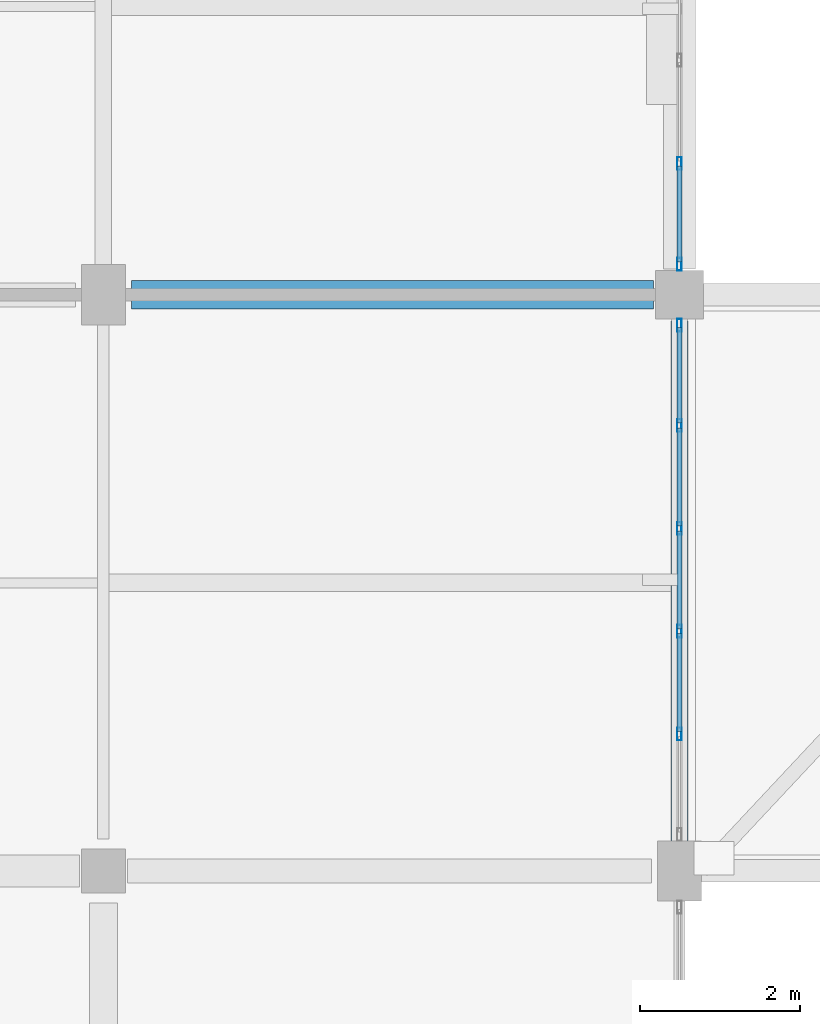
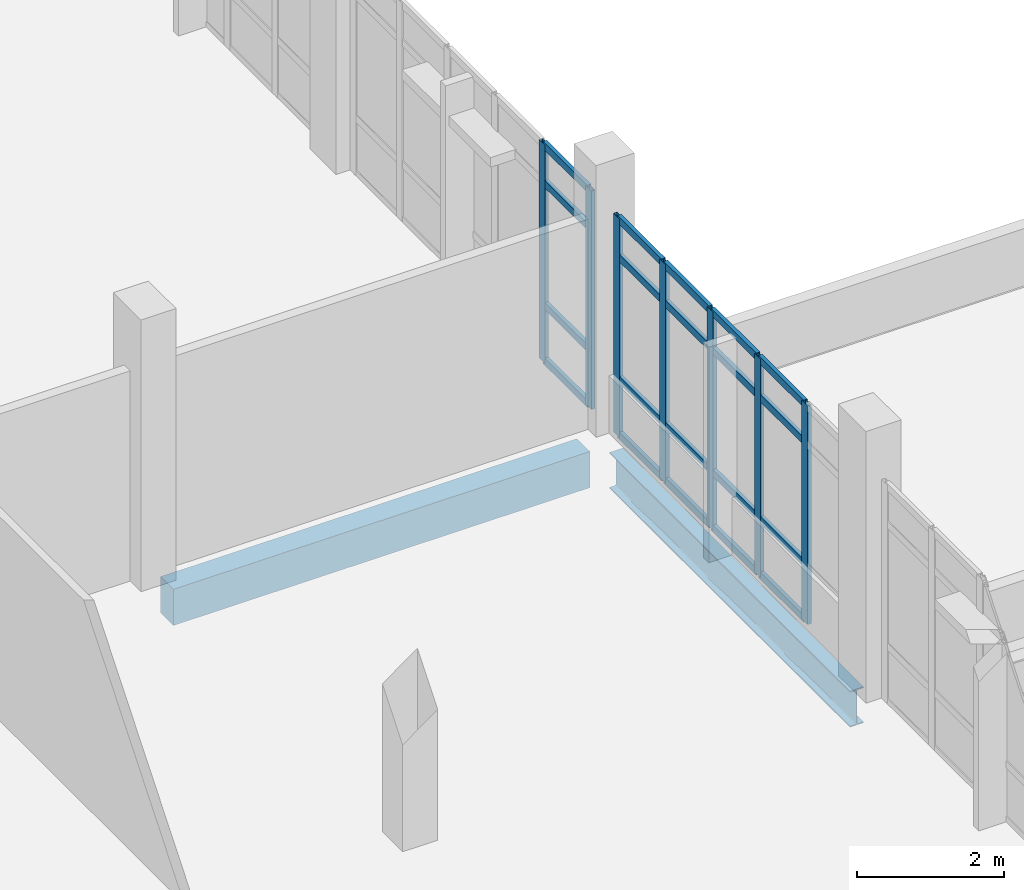
# One storey, part 12 of 87: 27 members, 2 beams, 2 elements without a shape of their own.
"""IFC4 building model written with IfcOpenShell, lengths in metres."""

from ifc_helpers import new_model, si_unit, direction, frame, origin, origin_2d, place, context, subcontext, project, spatial, rectangle, hollow_rectangle, i_section, extrude, material, material_profile, profile_set, type_object, element, aggregate, save


model = new_model("IFC4")

# Units and contexts
model_context = context("Model", 3, precision=1e-05, world=origin(), true_north=direction((0.0, 1.0)))
body_context = subcontext(model_context, "Body", "Model", "MODEL_VIEW")
ifc_project = project(units=[si_unit("LENGTHUNIT", "METRE"), si_unit("AREAUNIT", "SQUARE_METRE"), si_unit("VOLUMEUNIT", "CUBIC_METRE"), si_unit("PLANEANGLEUNIT", "RADIAN"), si_unit("MASSUNIT", "GRAM", prefix="KILO")], contexts=[model_context])

# Site, building, storey
site_placement = place(None, origin())
site = spatial("IfcSite", under=ifc_project, at=site_placement, CompositionType="ELEMENT")
building_placement = place(site_placement, origin())
building = spatial("IfcBuilding", under=site, at=building_placement, Name="Kalluvel Institute of Natural Sciences", CompositionType="ELEMENT")
storey_placement = place(building_placement, frame((0.0, 0.0, 18.89990234375)))
storey = spatial("IfcBuildingStorey", under=building, at=storey_placement, Name="L04", CompositionType="ELEMENT", Elevation=18.89990234375)

# Beam
ifc_material_1 = material(Name="Steel E350 Grade 350", Category="steel")
ifc_material_profile_1 = material_profile(ifc_material_1, i_section(OverallWidth=0.2099609375, OverallDepth=0.60009765625, WebThickness=0.011962890625, FlangeThickness=0.020751953125, FilletRadius=0.02001953125, at=origin_2d()), Name="ISMB 600")
ifc_profile_set_1 = profile_set([ifc_material_profile_1], Name="Steel E350 Grade 350")
beam_type_1 = type_object("IfcBeamType", Name="BM-ISMB600", PredefinedType="BEAM", material=ifc_profile_set_1)
beam_1_placement = place(storey_placement, frame((35.60009765625, 28.75, -0.599853515625), z_axis=(0.0, 1.0, 0.0), x_axis=(-1.0, 0.0, 0.0)))
element("IfcBeam", 1, at=beam_1_placement, inside=storey, type_object=beam_type_1, Name="L04 girder GIR-L04-NS-X356-Y284", PredefinedType="BEAM", context=body_context, shape_type="SweptSolid", body=[
    extrude(i_section(OverallWidth=0.2099609375, OverallDepth=0.60009765625, WebThickness=0.011962890625, FlangeThickness=0.020751953125, FilletRadius=0.02001953125, at=origin_2d()), origin(), (0.0, 0.0, 1.0), 6.52490234375),
])

# Curtain wall, members
ifc_material_2 = material(Name="Aluminium AW-6063 T6", Category="aluminium")
curtain_wall_type = type_object("IfcCurtainWallType", Name="CW-DRY-45", PredefinedType="USERDEFINED", material=ifc_material_2)
curtain_wall_1_placement = place(storey_placement, origin())
curtain_wall_1 = element("IfcCurtainWall", 2, at=curtain_wall_1_placement, inside=storey, type_object=curtain_wall_type, Name="L04 Gothic lancet curtain wall CWA-L04-X356-Y288", ObjectType="UNITISED LANCET FACADE", PredefinedType="USERDEFINED")
ifc_material_profile_2 = material_profile(ifc_material_2, hollow_rectangle(XDim=0.06005859375, YDim=0.159912109375, WallThickness=0.00390625, at=origin_2d()), Name="CWM 60x160")
ifc_profile_set_2 = profile_set([ifc_material_profile_2], Name="Aluminium AW-6063 T6")
member_type_1 = type_object("IfcMemberType", Name="CWM-60x160", PredefinedType="MULLION", material=ifc_profile_set_2)
member_1_placement = place(storey_placement, frame((35.60009765625, 30.110107421875, 0.0), z_axis=(0.0, 0.0, 1.0), x_axis=(-1.0, 0.0, 0.0)))
member_1 = element("IfcMember", 3, at=member_1_placement, type_object=member_type_1, Name="CW-03 mullion 2", PredefinedType="MULLION", context=body_context, shape_type="SweptSolid", body=[
    extrude(hollow_rectangle(XDim=0.06005859375, YDim=0.159912109375, WallThickness=0.00390625, at=origin_2d()), origin(), (0.0, 0.0, 1.0), 3.6201171875),
])
member_2_placement = place(storey_placement, frame((35.60009765625, 31.39501953125, 0.0), z_axis=(0.0, 0.0, 1.0), x_axis=(-1.0, 0.0, 0.0)))
member_2 = element("IfcMember", 4, at=member_2_placement, type_object=member_type_1, Name="CW-03 mullion 3", PredefinedType="MULLION", context=body_context, shape_type="SweptSolid", body=[
    extrude(hollow_rectangle(XDim=0.06005859375, YDim=0.159912109375, WallThickness=0.00390625, at=origin_2d()), origin(), (0.0, 0.0, 1.0), 3.6201171875),
])
member_3_placement = place(storey_placement, frame((35.60009765625, 32.679931640625, 0.0), z_axis=(0.0, 0.0, 1.0), x_axis=(-1.0, 0.0, 0.0)))
member_3 = element("IfcMember", 5, at=member_3_placement, type_object=member_type_1, Name="CW-03 mullion 4", PredefinedType="MULLION", context=body_context, shape_type="SweptSolid", body=[
    extrude(hollow_rectangle(XDim=0.06005859375, YDim=0.159912109375, WallThickness=0.00390625, at=origin_2d()), origin(), (0.0, 0.0, 1.0), 3.6201171875),
])
member_4_placement = place(storey_placement, frame((35.60009765625, 33.965087890625, 0.0), z_axis=(0.0, 0.0, 1.0), x_axis=(-1.0, 0.0, 0.0)))
member_4 = element("IfcMember", 6, at=member_4_placement, type_object=member_type_1, Name="CW-03 mullion 5", PredefinedType="MULLION", context=body_context, shape_type="SweptSolid", body=[
    extrude(hollow_rectangle(XDim=0.06005859375, YDim=0.159912109375, WallThickness=0.00390625, at=origin_2d()), origin(), (0.0, 0.0, 1.0), 3.6201171875),
])
member_5_placement = place(storey_placement, frame((35.60009765625, 35.219970703125, 0.0), z_axis=(0.0, 0.0, 1.0), x_axis=(-1.0, 0.0, 0.0)))
member_5 = element("IfcMember", 7, at=member_5_placement, type_object=member_type_1, Name="CW-03 mullion 6", PredefinedType="MULLION", context=body_context, shape_type="SweptSolid", body=[
    extrude(hollow_rectangle(XDim=0.06005859375, YDim=0.159912109375, WallThickness=0.00390625, at=origin_2d()), origin(), (0.0, 0.0, 1.0), 3.6201171875),
])

curtain_wall_2_placement = place(storey_placement, origin())
curtain_wall_2 = element("IfcCurtainWall", 8, at=curtain_wall_2_placement, inside=storey, type_object=curtain_wall_type, Name="L04 Gothic lancet curtain wall CWA-L04-X356-Y360", ObjectType="UNITISED LANCET FACADE", PredefinedType="USERDEFINED")
member_6_placement = place(storey_placement, frame((35.60009765625, 35.97998046875, 0.0), z_axis=(0.0, 0.0, 1.0), x_axis=(-1.0, 0.0, 0.0)))
member_6 = element("IfcMember", 9, at=member_6_placement, type_object=member_type_1, Name="CW-03 mullion 1", PredefinedType="MULLION", context=body_context, shape_type="SweptSolid", body=[
    extrude(hollow_rectangle(XDim=0.06005859375, YDim=0.159912109375, WallThickness=0.00390625, at=origin_2d()), origin(), (0.0, 0.0, 1.0), 3.6201171875),
])
member_7_placement = place(storey_placement, frame((35.60009765625, 37.239990234375, 0.0), z_axis=(0.0, 0.0, 1.0), x_axis=(-1.0, 0.0, 0.0)))
member_7 = element("IfcMember", 10, at=member_7_placement, type_object=member_type_1, Name="CW-03 mullion 2", PredefinedType="MULLION", context=body_context, shape_type="SweptSolid", body=[
    extrude(hollow_rectangle(XDim=0.06005859375, YDim=0.159912109375, WallThickness=0.00390625, at=origin_2d()), origin(), (0.0, 0.0, 1.0), 3.6201171875),
])

# Member
ifc_material_profile_3 = material_profile(ifc_material_2, hollow_rectangle(XDim=0.06005859375, YDim=0.1201171875, WallThickness=0.00390625, at=origin_2d()), Name="CWT 60x120")
ifc_profile_set_3 = profile_set([ifc_material_profile_3], Name="Aluminium AW-6063 T6")
member_type_2 = type_object("IfcMemberType", Name="CWT-60x120", PredefinedType="USERDEFINED", material=ifc_profile_set_3)
member_8_placement = place(storey_placement, frame((35.60009765625, 30.139892578125, 0.030029296875), z_axis=(0.0, 1.0, 0.0), x_axis=(-1.0, 0.0, 0.0)))
member_8 = element("IfcMember", 11, at=member_8_placement, type_object=member_type_2, Name="CW-03 transom 2.1", ObjectType="TRANSOM", PredefinedType="USERDEFINED", context=body_context, shape_type="SweptSolid", body=[
    extrude(hollow_rectangle(XDim=0.06005859375, YDim=0.1201171875, WallThickness=0.00390625, at=origin_2d()), origin(), (0.0, 0.0, 1.0), 1.22509765625),
])

member_9_placement = place(storey_placement, frame((35.60009765625, 30.139892578125, 0.9501953125), z_axis=(0.0, 1.0, 0.0), x_axis=(-1.0, 0.0, 0.0)))
member_9 = element("IfcMember", 12, at=member_9_placement, type_object=member_type_2, Name="CW-03 transom 2.2", ObjectType="TRANSOM", PredefinedType="USERDEFINED", context=body_context, shape_type="SweptSolid", body=[
    extrude(hollow_rectangle(XDim=0.06005859375, YDim=0.1201171875, WallThickness=0.00390625, at=origin_2d()), origin(), (0.0, 0.0, 1.0), 1.22509765625),
])

member_10_placement = place(storey_placement, frame((35.60009765625, 30.139892578125, 2.97021484375), z_axis=(0.0, 1.0, 0.0), x_axis=(-1.0, 0.0, 0.0)))
member_10 = element("IfcMember", 13, at=member_10_placement, type_object=member_type_2, Name="CW-03 transom 2.3", ObjectType="TRANSOM", PredefinedType="USERDEFINED", context=body_context, shape_type="SweptSolid", body=[
    extrude(hollow_rectangle(XDim=0.06005859375, YDim=0.1201171875, WallThickness=0.00390625, at=origin_2d()), origin(), (0.0, 0.0, 1.0), 1.22509765625),
])

member_11_placement = place(storey_placement, frame((35.60009765625, 30.139892578125, 3.590087890625), z_axis=(0.0, 1.0, 0.0), x_axis=(-1.0, 0.0, 0.0)))
member_11 = element("IfcMember", 14, at=member_11_placement, type_object=member_type_2, Name="CW-03 transom 2.4", ObjectType="TRANSOM", PredefinedType="USERDEFINED", context=body_context, shape_type="SweptSolid", body=[
    extrude(hollow_rectangle(XDim=0.06005859375, YDim=0.1201171875, WallThickness=0.00390625, at=origin_2d()), origin(), (0.0, 0.0, 1.0), 1.22509765625),
])

member_12_placement = place(storey_placement, frame((35.60009765625, 31.425048828125, 0.030029296875), z_axis=(0.0, 1.0, 0.0), x_axis=(-1.0, 0.0, 0.0)))
member_12 = element("IfcMember", 15, at=member_12_placement, type_object=member_type_2, Name="CW-03 transom 3.1", ObjectType="TRANSOM", PredefinedType="USERDEFINED", context=body_context, shape_type="SweptSolid", body=[
    extrude(hollow_rectangle(XDim=0.06005859375, YDim=0.1201171875, WallThickness=0.00390625, at=origin_2d()), origin(), (0.0, 0.0, 1.0), 1.224853515625),
])

member_13_placement = place(storey_placement, frame((35.60009765625, 31.425048828125, 0.9501953125), z_axis=(0.0, 1.0, 0.0), x_axis=(-1.0, 0.0, 0.0)))
member_13 = element("IfcMember", 16, at=member_13_placement, type_object=member_type_2, Name="CW-03 transom 3.2", ObjectType="TRANSOM", PredefinedType="USERDEFINED", context=body_context, shape_type="SweptSolid", body=[
    extrude(hollow_rectangle(XDim=0.06005859375, YDim=0.1201171875, WallThickness=0.00390625, at=origin_2d()), origin(), (0.0, 0.0, 1.0), 1.224853515625),
])

member_14_placement = place(storey_placement, frame((35.60009765625, 31.425048828125, 2.97021484375), z_axis=(0.0, 1.0, 0.0), x_axis=(-1.0, 0.0, 0.0)))
member_14 = element("IfcMember", 17, at=member_14_placement, type_object=member_type_2, Name="CW-03 transom 3.3", ObjectType="TRANSOM", PredefinedType="USERDEFINED", context=body_context, shape_type="SweptSolid", body=[
    extrude(hollow_rectangle(XDim=0.06005859375, YDim=0.1201171875, WallThickness=0.00390625, at=origin_2d()), origin(), (0.0, 0.0, 1.0), 1.224853515625),
])

member_15_placement = place(storey_placement, frame((35.60009765625, 31.425048828125, 3.590087890625), z_axis=(0.0, 1.0, 0.0), x_axis=(-1.0, 0.0, 0.0)))
member_15 = element("IfcMember", 18, at=member_15_placement, type_object=member_type_2, Name="CW-03 transom 3.4", ObjectType="TRANSOM", PredefinedType="USERDEFINED", context=body_context, shape_type="SweptSolid", body=[
    extrude(hollow_rectangle(XDim=0.06005859375, YDim=0.1201171875, WallThickness=0.00390625, at=origin_2d()), origin(), (0.0, 0.0, 1.0), 1.224853515625),
])

member_16_placement = place(storey_placement, frame((35.60009765625, 32.7099609375, 0.030029296875), z_axis=(0.0, 1.0, 0.0), x_axis=(-1.0, 0.0, 0.0)))
member_16 = element("IfcMember", 19, at=member_16_placement, type_object=member_type_2, Name="CW-03 transom 4.1", ObjectType="TRANSOM", PredefinedType="USERDEFINED", context=body_context, shape_type="SweptSolid", body=[
    extrude(hollow_rectangle(XDim=0.06005859375, YDim=0.1201171875, WallThickness=0.00390625, at=origin_2d()), origin(), (0.0, 0.0, 1.0), 1.22509765625),
])

member_17_placement = place(storey_placement, frame((35.60009765625, 32.7099609375, 0.9501953125), z_axis=(0.0, 1.0, 0.0), x_axis=(-1.0, 0.0, 0.0)))
member_17 = element("IfcMember", 20, at=member_17_placement, type_object=member_type_2, Name="CW-03 transom 4.2", ObjectType="TRANSOM", PredefinedType="USERDEFINED", context=body_context, shape_type="SweptSolid", body=[
    extrude(hollow_rectangle(XDim=0.06005859375, YDim=0.1201171875, WallThickness=0.00390625, at=origin_2d()), origin(), (0.0, 0.0, 1.0), 1.22509765625),
])

member_18_placement = place(storey_placement, frame((35.60009765625, 32.7099609375, 2.97021484375), z_axis=(0.0, 1.0, 0.0), x_axis=(-1.0, 0.0, 0.0)))
member_18 = element("IfcMember", 21, at=member_18_placement, type_object=member_type_2, Name="CW-03 transom 4.3", ObjectType="TRANSOM", PredefinedType="USERDEFINED", context=body_context, shape_type="SweptSolid", body=[
    extrude(hollow_rectangle(XDim=0.06005859375, YDim=0.1201171875, WallThickness=0.00390625, at=origin_2d()), origin(), (0.0, 0.0, 1.0), 1.22509765625),
])

member_19_placement = place(storey_placement, frame((35.60009765625, 32.7099609375, 3.590087890625), z_axis=(0.0, 1.0, 0.0), x_axis=(-1.0, 0.0, 0.0)))
member_19 = element("IfcMember", 22, at=member_19_placement, type_object=member_type_2, Name="CW-03 transom 4.4", ObjectType="TRANSOM", PredefinedType="USERDEFINED", context=body_context, shape_type="SweptSolid", body=[
    extrude(hollow_rectangle(XDim=0.06005859375, YDim=0.1201171875, WallThickness=0.00390625, at=origin_2d()), origin(), (0.0, 0.0, 1.0), 1.22509765625),
])

member_20_placement = place(storey_placement, frame((35.60009765625, 33.9951171875, 0.030029296875), z_axis=(0.0, 1.0, 0.0), x_axis=(-1.0, 0.0, 0.0)))
member_20 = element("IfcMember", 23, at=member_20_placement, type_object=member_type_2, Name="CW-03 transom 5.1", ObjectType="TRANSOM", PredefinedType="USERDEFINED", context=body_context, shape_type="SweptSolid", body=[
    extrude(hollow_rectangle(XDim=0.06005859375, YDim=0.1201171875, WallThickness=0.00390625, at=origin_2d()), origin(), (0.0, 0.0, 1.0), 1.19482421875),
])

member_21_placement = place(storey_placement, frame((35.60009765625, 33.9951171875, 0.9501953125), z_axis=(0.0, 1.0, 0.0), x_axis=(-1.0, 0.0, 0.0)))
member_21 = element("IfcMember", 24, at=member_21_placement, type_object=member_type_2, Name="CW-03 transom 5.2", ObjectType="TRANSOM", PredefinedType="USERDEFINED", context=body_context, shape_type="SweptSolid", body=[
    extrude(hollow_rectangle(XDim=0.06005859375, YDim=0.1201171875, WallThickness=0.00390625, at=origin_2d()), origin(), (0.0, 0.0, 1.0), 1.19482421875),
])

member_22_placement = place(storey_placement, frame((35.60009765625, 33.9951171875, 2.97021484375), z_axis=(0.0, 1.0, 0.0), x_axis=(-1.0, 0.0, 0.0)))
member_22 = element("IfcMember", 25, at=member_22_placement, type_object=member_type_2, Name="CW-03 transom 5.3", ObjectType="TRANSOM", PredefinedType="USERDEFINED", context=body_context, shape_type="SweptSolid", body=[
    extrude(hollow_rectangle(XDim=0.06005859375, YDim=0.1201171875, WallThickness=0.00390625, at=origin_2d()), origin(), (0.0, 0.0, 1.0), 1.19482421875),
])

member_23_placement = place(storey_placement, frame((35.60009765625, 33.9951171875, 3.590087890625), z_axis=(0.0, 1.0, 0.0), x_axis=(-1.0, 0.0, 0.0)))
member_23 = element("IfcMember", 26, at=member_23_placement, type_object=member_type_2, Name="CW-03 transom 5.4", ObjectType="TRANSOM", PredefinedType="USERDEFINED", context=body_context, shape_type="SweptSolid", body=[
    extrude(hollow_rectangle(XDim=0.06005859375, YDim=0.1201171875, WallThickness=0.00390625, at=origin_2d()), origin(), (0.0, 0.0, 1.0), 1.19482421875),
])

aggregate(curtain_wall_1, [member_1, member_2, member_3, member_4, member_5, member_8, member_9, member_10, member_11, member_12, member_13, member_14, member_15, member_16, member_17, member_18, member_19, member_20, member_21, member_22, member_23])

member_24_placement = place(storey_placement, frame((35.60009765625, 36.010009765625, 0.030029296875), z_axis=(0.0, 1.0, 0.0), x_axis=(-1.0, 0.0, 0.0)))
member_24 = element("IfcMember", 27, at=member_24_placement, type_object=member_type_2, Name="CW-03 transom 1.1", ObjectType="TRANSOM", PredefinedType="USERDEFINED", context=body_context, shape_type="SweptSolid", body=[
    extrude(hollow_rectangle(XDim=0.06005859375, YDim=0.1201171875, WallThickness=0.00390625, at=origin_2d()), origin(), (0.0, 0.0, 1.0), 1.199951171875),
])

member_25_placement = place(storey_placement, frame((35.60009765625, 36.010009765625, 0.9501953125), z_axis=(0.0, 1.0, 0.0), x_axis=(-1.0, 0.0, 0.0)))
member_25 = element("IfcMember", 28, at=member_25_placement, type_object=member_type_2, Name="CW-03 transom 1.2", ObjectType="TRANSOM", PredefinedType="USERDEFINED", context=body_context, shape_type="SweptSolid", body=[
    extrude(hollow_rectangle(XDim=0.06005859375, YDim=0.1201171875, WallThickness=0.00390625, at=origin_2d()), origin(), (0.0, 0.0, 1.0), 1.199951171875),
])

member_26_placement = place(storey_placement, frame((35.60009765625, 36.010009765625, 2.97021484375), z_axis=(0.0, 1.0, 0.0), x_axis=(-1.0, 0.0, 0.0)))
member_26 = element("IfcMember", 29, at=member_26_placement, type_object=member_type_2, Name="CW-03 transom 1.3", ObjectType="TRANSOM", PredefinedType="USERDEFINED", context=body_context, shape_type="SweptSolid", body=[
    extrude(hollow_rectangle(XDim=0.06005859375, YDim=0.1201171875, WallThickness=0.00390625, at=origin_2d()), origin(), (0.0, 0.0, 1.0), 1.199951171875),
])

member_27_placement = place(storey_placement, frame((35.60009765625, 36.010009765625, 3.590087890625), z_axis=(0.0, 1.0, 0.0), x_axis=(-1.0, 0.0, 0.0)))
member_27 = element("IfcMember", 30, at=member_27_placement, type_object=member_type_2, Name="CW-03 transom 1.4", ObjectType="TRANSOM", PredefinedType="USERDEFINED", context=body_context, shape_type="SweptSolid", body=[
    extrude(hollow_rectangle(XDim=0.06005859375, YDim=0.1201171875, WallThickness=0.00390625, at=origin_2d()), origin(), (0.0, 0.0, 1.0), 1.199951171875),
])

aggregate(curtain_wall_2, [member_6, member_7, member_24, member_25, member_26, member_27])

# Beam
ifc_material_3 = material(Name="Concrete M40", Category="concrete")
ifc_material_profile_4 = material_profile(ifc_material_3, rectangle(XDim=0.35009765625, YDim=0.60009765625, at=origin_2d()), Name="RCB 350x600")
ifc_profile_set_4 = profile_set([ifc_material_profile_4], Name="Concrete M40")
beam_type_2 = type_object("IfcBeamType", Name="SP-RC350x600", PredefinedType="SPANDREL", material=ifc_profile_set_4)
beam_2_placement = place(storey_placement, frame((28.75, 35.60009765625, -0.599853515625), z_axis=(1.0, 0.0, 0.0), x_axis=(0.0, 1.0, 0.0)))
element("IfcBeam", 31, at=beam_2_placement, inside=storey, type_object=beam_type_2, Name="L04 girder GIR-L04-EW-X284-Y356", PredefinedType="SPANDREL", context=body_context, shape_type="SweptSolid", body=[
    extrude(rectangle(XDim=0.35009765625, YDim=0.60009765625, at=origin_2d()), origin(), (0.0, 0.0, 1.0), 6.52490234375),
])

save(model, "model.ifc")
